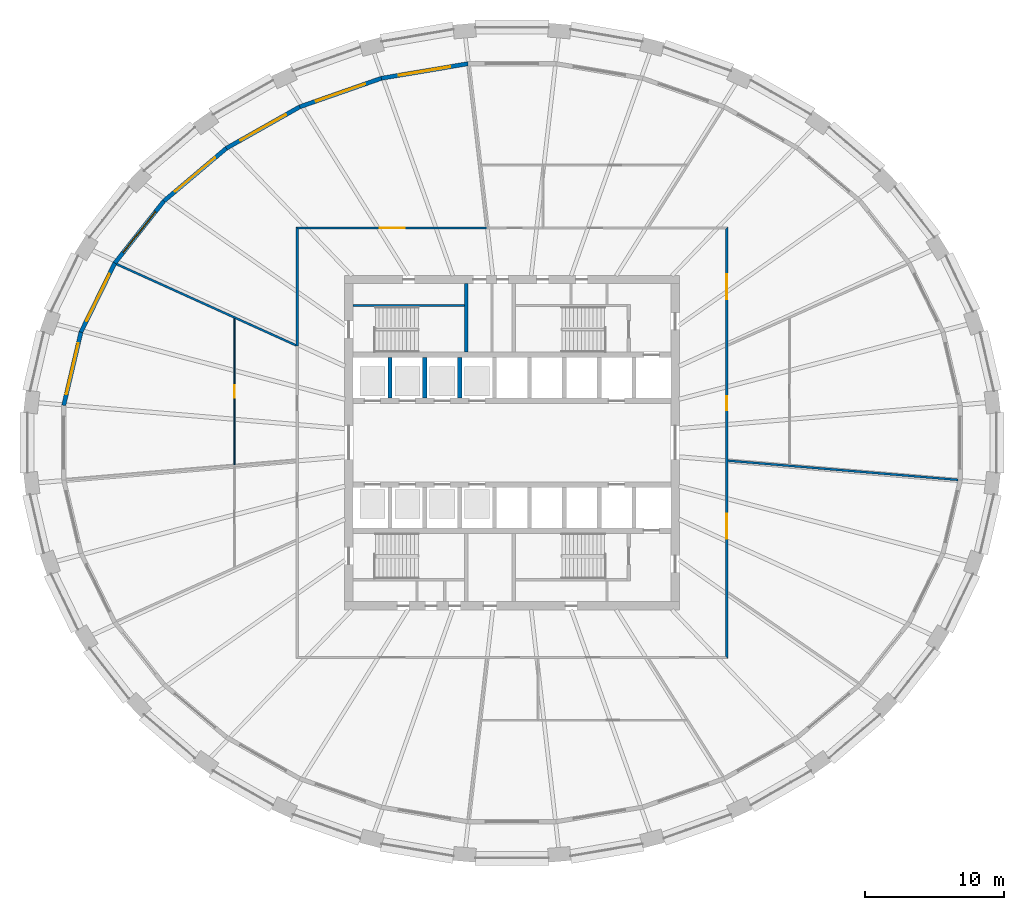
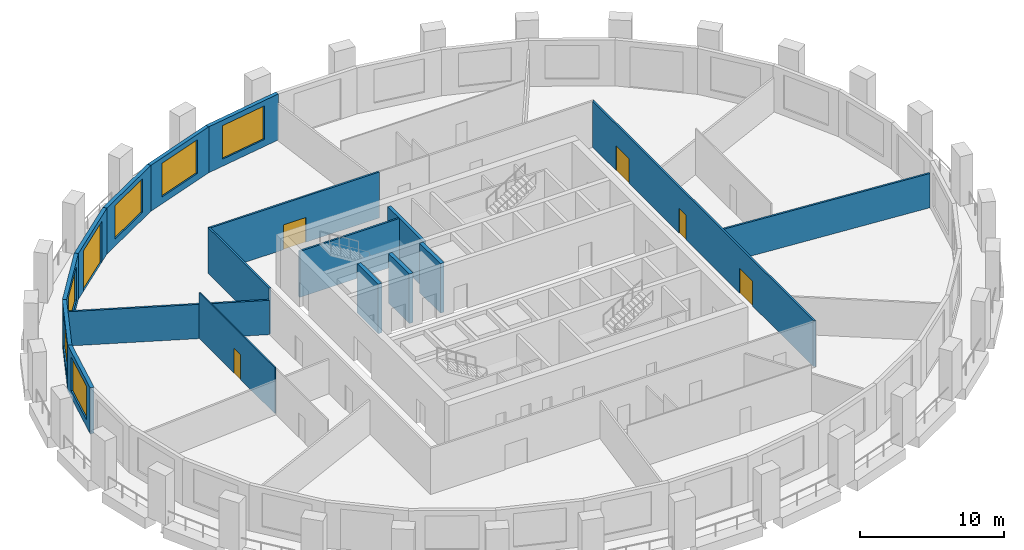
# One storey, part 5 of 10: 18 walls, 6 doors, 6 windows, 12 openings.
"""IFC4 building model written with IfcOpenShell, lengths in metres."""

from ifc_helpers import new_model, si_unit, direction, frame, frame_2d, origin, place, context, subcontext, project, spatial, polyline, rectangle, outline, extrude, material, layer, layer_set, type_object, element, fill, save


model = new_model("IFC4")

# Units and contexts
model_context = context("Model", 3, precision=1e-05, world=origin(), true_north=direction((0.0, 1.0)))
body_context = subcontext(model_context, "Body", "Model", "MODEL_VIEW")
ifc_project = project(units=[si_unit("LENGTHUNIT", "METRE"), si_unit("AREAUNIT", "SQUARE_METRE"), si_unit("VOLUMEUNIT", "CUBIC_METRE"), si_unit("PLANEANGLEUNIT", "RADIAN"), si_unit("MASSUNIT", "GRAM", prefix="KILO")], contexts=[model_context])

# Site, building, storey
site_placement = place(None, origin())
site = spatial("IfcSite", under=ifc_project, at=site_placement, CompositionType="ELEMENT")
building_placement = place(site_placement, origin())
building = spatial("IfcBuilding", under=site, at=building_placement, Name="Halqa Exchange Tower", CompositionType="ELEMENT")
storey_placement = place(building_placement, frame((0.0, 0.0, 125.5)))
storey = spatial("IfcBuildingStorey", under=building, at=storey_placement, Name="L28", CompositionType="ELEMENT", Elevation=125.5)

# Walls
ifc_material_1 = material(Name="Fire-rated gypsum board")
ifc_layer_1 = layer(ifc_material_1, 0.14990234375)
ifc_layer_set_1 = layer_set([ifc_layer_1], Name="Fire-rated gypsum board")
wall_type_1 = type_object("IfcWallType", Name="Fire partition EI 60 150", PredefinedType="PARTITIONING", material=ifc_layer_set_1)
wall_1_placement = place(storey_placement, frame((-28.351806640625, 12.80419921875, 0.0), z_axis=(0.0, 0.0, 1.0), x_axis=(0.91107802929, -0.412233943951, 0.0)))
element("IfcWall", 1, at=wall_1_placement, inside=storey, type_object=wall_type_1, Name="L28-PWL-002", PredefinedType="PARTITIONING", context=body_context, shape_type="SweptSolid", body=[
    extrude(outline(polyline([(0.0, -0.074951171875), (1.8720703125, -0.074951171875), (3.743896484375, -0.074951171875), (5.615966796875, -0.074951171875), (7.48779296875, -0.074951171875), (9.35986328125, -0.074951171875), (9.364501953125, -0.07275390625), (9.365478515625, -0.074951171875), (10.966064453125, -0.074951171875), (12.56689453125, -0.074951171875), (14.16748046875, -0.074951171875), (14.16748046875, -0.074951171875), (14.14501953125, -0.025390625), (14.099609375, 0.074951171875), (12.33984375, 0.074951171875), (10.580078125, 0.074951171875), (8.8203125, 0.074951171875), (7.060302734375, 0.074951171875), (5.300537109375, 0.074951171875), (3.540771484375, 0.074951171875), (1.781005859375, 0.074951171875), (0.021240234375, 0.074951171875), (0.001708984375, -0.003173828125), (0.0, -0.05859375), (0.0, -0.074951171875)])), origin(), (0.0, 0.0, 1.0), 2.909912109375),
])
wall_2_placement = place(storey_placement, frame((-15.39990234375, 6.949951171875, 0.0), z_axis=(0.0, 0.0, 1.0), x_axis=(0.0, 1.0, 0.0)))
element("IfcWall", 2, at=wall_2_placement, inside=storey, type_object=wall_type_1, Name="L28-PWL-008", PredefinedType="PARTITIONING", context=body_context, shape_type="SweptSolid", body=[
    extrude(outline(polyline([(0.0, -0.074951171875), (1.675048828125, -0.074951171875), (3.35009765625, -0.074951171875), (5.02490234375, -0.074951171875), (6.699951171875, -0.074951171875), (8.375, -0.074951171875), (8.52490234375, 0.074951171875), (6.81982421875, 0.074951171875), (5.114990234375, 0.074951171875), (3.409912109375, 0.074951171875), (1.705078125, 0.074951171875), (0.0, 0.074951171875), (0.0, -0.074951171875)])), origin(), (0.0, 0.0, 1.0), 3.89990234375),
])

# Wall, opening, door
wall_3_placement = place(storey_placement, frame((-15.47509765625, 15.39990234375, 0.0), z_axis=(0.0, 0.0, 1.0), x_axis=(1.0, 0.0, 0.0)))
wall_3 = element("IfcWall", 3, at=wall_3_placement, inside=storey, type_object=wall_type_1, Name="L28-PWL-009", PredefinedType="PARTITIONING", context=body_context, shape_type="SweptSolid", body=[
    extrude(outline(polyline([(13.675048828125, 0.074951171875), (11.721435546875, 0.074951171875), (9.76806640625, 0.074951171875), (7.814453125, 0.074951171875), (5.86083984375, 0.074951171875), (3.9072265625, 0.074951171875), (1.953857421875, 0.074951171875), (0.000244140625, 0.074951171875), (0.150146484375, -0.074951171875), (2.082275390625, -0.074951171875), (4.014404296875, -0.074951171875), (5.946533203125, -0.074951171875), (7.878662109375, -0.074951171875), (9.810791015625, -0.074951171875), (11.742919921875, -0.074951171875), (13.675048828125, -0.074951171875), (13.675048828125, 0.074951171875)])), origin(), (0.0, 0.0, 1.0), 3.89990234375),
])
opening_1_placement = place(wall_3_placement, frame((5.97509765625, 0.0, 0.0)))
opening_1 = element("IfcOpeningElement", 4, at=opening_1_placement, cuts=wall_3, Name="Opening 08-07", PredefinedType="OPENING", context=body_context, shape_type="SweptSolid", body=[
    extrude(rectangle(XDim=1.800048828125, YDim=2.10009765625, at=frame_2d((0.89990234375, 1.050048828125))), frame((0.0, 0.0869140625, 0.0), z_axis=(0.0, -1.0, 0.0), x_axis=(1.0, 0.0, 0.0)), (0.0, 0.0, 1.0), 0.173828125),
])
ifc_material_2 = material(Name="Steel fire door leaf", Category="steel")
door_type_1 = type_object("IfcDoorType", Name="Fire door FD30S double 1800 x 2100", OperationType="DOUBLE_DOOR_SINGLE_SWING", PredefinedType="DOOR", material=ifc_material_2)
door_1_placement = place(opening_1_placement, origin())
door_1 = element("IfcDoor", 5, at=door_1_placement, inside=storey, type_object=door_type_1, Name="L28-IDR-007", OperationType="DOUBLE_DOOR_SINGLE_SWING", OverallHeight=2.10009765625, OverallWidth=1.800048828125, PredefinedType="DOOR", context=body_context, shape_type="SweptSolid", body=[
    extrude(rectangle(XDim=1.800048828125, YDim=2.10009765625, at=frame_2d((0.89990234375, 1.050048828125))), frame((0.0, 0.02490234375, 0.0), z_axis=(0.0, -1.0, 0.0), x_axis=(1.0, 0.0, 0.0)), (0.0, 0.0, 1.0), 0.050048828125),
])
fill(opening_1, door_1)

# Wall, openings, doors
wall_4_placement = place(storey_placement, frame((15.39990234375, -15.47509765625, 0.0), z_axis=(0.0, 0.0, 1.0), x_axis=(0.0, 1.0, 0.0)))
wall_4 = element("IfcWall", 6, at=wall_4_placement, inside=storey, type_object=wall_type_1, Name="L28-PWL-020", PredefinedType="PARTITIONING", context=body_context, shape_type="SweptSolid", body=[
    extrude(outline(polyline([(0.000244140625, -0.074951171875), (1.9345703125, -0.074951171875), (3.868896484375, -0.074951171875), (5.80322265625, -0.074951171875), (7.73779296875, -0.074951171875), (9.672119140625, -0.074951171875), (11.6064453125, -0.074951171875), (13.540771484375, -0.074951171875), (15.47509765625, -0.074951171875), (17.409423828125, -0.074951171875), (19.34375, -0.074951171875), (21.278076171875, -0.074951171875), (23.21240234375, -0.074951171875), (25.14697265625, -0.074951171875), (27.081298828125, -0.074951171875), (29.015625, -0.074951171875), (30.949951171875, -0.074951171875), (30.800048828125, 0.074951171875), (28.884521484375, 0.074951171875), (26.96875, 0.074951171875), (25.05322265625, 0.074951171875), (23.1376953125, 0.074951171875), (21.221923828125, 0.074951171875), (19.306396484375, 0.074951171875), (17.390625, 0.074951171875), (15.47509765625, 0.074951171875), (13.5595703125, 0.074951171875), (11.643798828125, 0.074951171875), (9.728271484375, 0.074951171875), (7.8125, 0.074951171875), (5.89697265625, 0.074951171875), (3.9814453125, 0.074951171875), (2.065673828125, 0.074951171875), (0.150146484375, 0.074951171875), (0.000244140625, -0.074951171875)])), origin(), (0.0, 0.0, 1.0), 3.89990234375),
])
opening_2_placement = place(wall_4_placement, frame((8.594970703125, 0.0, 0.0)))
opening_2 = element("IfcOpeningElement", 7, at=opening_2_placement, cuts=wall_4, Name="Opening 08-02", PredefinedType="OPENING", context=body_context, shape_type="SweptSolid", body=[
    extrude(rectangle(XDim=1.800048828125, YDim=2.10009765625, at=frame_2d((0.89990234375, 1.050048828125))), frame((0.0, 0.0869140625, 0.0), z_axis=(0.0, -1.0, 0.0), x_axis=(1.0, 0.0, 0.0)), (0.0, 0.0, 1.0), 0.173828125),
])
opening_3_placement = place(wall_4_placement, frame((17.81005859375, 0.0, 0.0)))
opening_3 = element("IfcOpeningElement", 8, at=opening_3_placement, cuts=wall_4, Name="Opening 08-03", PredefinedType="OPENING", context=body_context, shape_type="SweptSolid", body=[
    extrude(rectangle(XDim=1.0, YDim=2.10009765625, at=frame_2d((0.5, 1.050048828125))), frame((0.0, 0.0869140625, 0.0), z_axis=(0.0, -1.0, 0.0), x_axis=(1.0, 0.0, 0.0)), (0.0, 0.0, 1.0), 0.173828125),
])
opening_4_placement = place(wall_4_placement, frame((25.75, 0.0, 0.0)))
opening_4 = element("IfcOpeningElement", 9, at=opening_4_placement, cuts=wall_4, Name="Opening 08-04", PredefinedType="OPENING", context=body_context, shape_type="SweptSolid", body=[
    extrude(rectangle(XDim=1.800048828125, YDim=2.10009765625, at=frame_2d((0.89990234375, 1.050048828125))), frame((0.0, 0.0869140625, 0.0), z_axis=(0.0, -1.0, 0.0), x_axis=(1.0, 0.0, 0.0)), (0.0, 0.0, 1.0), 0.173828125),
])
door_type_2 = type_object("IfcDoorType", Name="Fire door FD30S 1000 x 2100", OperationType="SINGLE_SWING_LEFT", PredefinedType="DOOR", material=ifc_material_2)
door_2_placement = place(opening_3_placement, frame((1.0, 0.0, 0.0), z_axis=(0.0, 0.0, 1.0), x_axis=(-1.0, 0.0, 0.0)))
door_2 = element("IfcDoor", 10, at=door_2_placement, inside=storey, type_object=door_type_2, Name="L28-IDR-003", OperationType="SINGLE_SWING_RIGHT", OverallHeight=2.10009765625, OverallWidth=1.0, PredefinedType="DOOR", context=body_context, shape_type="SweptSolid", body=[
    extrude(rectangle(XDim=1.0, YDim=2.10009765625, at=frame_2d((0.5, 1.050048828125))), frame((0.0, 0.02490234375, 0.0), z_axis=(0.0, -1.0, 0.0), x_axis=(1.0, 0.0, 0.0)), (0.0, 0.0, 1.0), 0.050048828125),
])
fill(opening_3, door_2)
door_3_placement = place(opening_2_placement, frame((1.800048828125, 0.0, 0.0), z_axis=(0.0, 0.0, 1.0), x_axis=(-1.0, 0.0, 0.0)))
door_3 = element("IfcDoor", 11, at=door_3_placement, inside=storey, type_object=door_type_1, Name="L28-IDR-002", OperationType="DOUBLE_DOOR_SINGLE_SWING", OverallHeight=2.10009765625, OverallWidth=1.800048828125, PredefinedType="DOOR", context=body_context, shape_type="SweptSolid", body=[
    extrude(rectangle(XDim=1.800048828125, YDim=2.10009765625, at=frame_2d((0.89990234375, 1.050048828125))), frame((0.0, 0.02490234375, 0.0), z_axis=(0.0, -1.0, 0.0), x_axis=(1.0, 0.0, 0.0)), (0.0, 0.0, 1.0), 0.050048828125),
])
fill(opening_2, door_3)
door_4_placement = place(opening_4_placement, frame((1.800048828125, 0.0, 0.0), z_axis=(0.0, 0.0, 1.0), x_axis=(-1.0, 0.0, 0.0)))
door_4 = element("IfcDoor", 12, at=door_4_placement, inside=storey, type_object=door_type_1, Name="L28-IDR-004", OperationType="DOUBLE_DOOR_SINGLE_SWING", OverallHeight=2.10009765625, OverallWidth=1.800048828125, PredefinedType="DOOR", context=body_context, shape_type="SweptSolid", body=[
    extrude(rectangle(XDim=1.800048828125, YDim=2.10009765625, at=frame_2d((0.89990234375, 1.050048828125))), frame((0.0, 0.02490234375, 0.0), z_axis=(0.0, -1.0, 0.0), x_axis=(1.0, 0.0, 0.0)), (0.0, 0.0, 1.0), 0.050048828125),
])
fill(opening_4, door_4)

# Wall
wall_5_placement = place(storey_placement, frame((15.46923828125, -1.285888671875, 0.0), z_axis=(0.0, 0.0, 1.0), x_axis=(0.996533353756, -0.083194199634, 0.0)))
element("IfcWall", 13, at=wall_5_placement, inside=storey, type_object=wall_type_1, Name="L28-PWL-022", PredefinedType="PARTITIONING", context=body_context, shape_type="SweptSolid", body=[
    extrude(outline(polyline([(0.011962890625, -0.074951171875), (1.8515625, -0.074951171875), (3.69140625, -0.074951171875), (5.531005859375, -0.074951171875), (7.37060546875, -0.074951171875), (9.210205078125, -0.074951171875), (11.0498046875, -0.074951171875), (12.8896484375, -0.074951171875), (14.729248046875, -0.074951171875), (16.56884765625, -0.074951171875), (16.574462890625, -0.037109375), (16.574462890625, 0.074951171875), (14.835693359375, 0.074951171875), (13.096923828125, 0.074951171875), (11.358154296875, 0.074951171875), (9.619384765625, 0.074951171875), (7.880615234375, 0.074951171875), (6.141845703125, 0.074951171875), (4.403076171875, 0.074951171875), (4.389892578125, 0.073974609375), (4.3896484375, 0.074951171875), (2.926513671875, 0.074951171875), (1.463134765625, 0.074951171875), (0.0, 0.074951171875), (0.0, 0.0693359375), (0.011962890625, -0.074951171875)])), origin(), (0.0, 0.0, 1.0), 2.909912109375),
])

# Wall, opening, door
ifc_material_3 = material(Name="Gypsum board")
ifc_layer_2 = layer(ifc_material_3, 0.10009765625)
ifc_layer_set_2 = layer_set([ifc_layer_2], Name="Gypsum board")
wall_type_2 = type_object("IfcWallType", Name="Partition 100 gypsum", PredefinedType="PARTITIONING", material=ifc_layer_set_2)
wall_6_placement = place(storey_placement, frame((-19.89990234375, -1.58447265625, 0.0), z_axis=(0.0, 0.0, 1.0), x_axis=(0.0, 1.0, 0.0)))
wall_6 = element("IfcWall", 14, at=wall_6_placement, inside=storey, type_object=wall_type_2, Name="L28-PWL-005", PredefinedType="PARTITIONING", context=body_context, shape_type="SweptSolid", body=[
    extrude(outline(polyline([(0.00830078125, -0.050048828125), (1.75, -0.050048828125), (3.491943359375, -0.050048828125), (5.23388671875, -0.050048828125), (6.9755859375, -0.050048828125), (8.717529296875, -0.050048828125), (10.45947265625, -0.050048828125), (10.50439453125, 0.04931640625), (10.50439453125, 0.050048828125), (8.753662109375, 0.050048828125), (7.0029296875, 0.050048828125), (5.252197265625, 0.050048828125), (3.50146484375, 0.050048828125), (1.750732421875, 0.050048828125), (0.0, 0.050048828125), (0.0, 0.048095703125), (0.00830078125, -0.050048828125)])), origin(), (0.0, 0.0, 1.0), 3.89990234375),
])
opening_5_placement = place(wall_6_placement, frame((4.79443359375, 0.0, 0.0)))
opening_5 = element("IfcOpeningElement", 15, at=opening_5_placement, cuts=wall_6, Name="Opening 08-15", PredefinedType="OPENING", context=body_context, shape_type="SweptSolid", body=[
    extrude(rectangle(XDim=0.89990234375, YDim=2.10009765625, at=frame_2d((0.449951171875, 1.050048828125))), frame((0.0, 0.06201171875, 0.0), z_axis=(0.0, -1.0, 0.0), x_axis=(1.0, 0.0, 0.0)), (0.0, 0.0, 1.0), 0.1240234375),
])
ifc_material_4 = material(Name="Timber door leaf", Category="wood")
door_type_3 = type_object("IfcDoorType", Name="Door 900 x 2100", OperationType="SINGLE_SWING_LEFT", PredefinedType="DOOR", material=ifc_material_4)
door_5_placement = place(opening_5_placement, frame((0.89990234375, 0.0, 0.0), z_axis=(0.0, 0.0, 1.0), x_axis=(-1.0, 0.0, 0.0)))
door_5 = element("IfcDoor", 16, at=door_5_placement, inside=storey, type_object=door_type_3, Name="L28-IDR-015", OperationType="SINGLE_SWING_RIGHT", OverallHeight=2.10009765625, OverallWidth=0.89990234375, PredefinedType="DOOR", context=body_context, shape_type="SweptSolid", body=[
    extrude(rectangle(XDim=0.89990234375, YDim=2.10009765625, at=frame_2d((0.449951171875, 1.050048828125))), frame((0.0, 0.02490234375, 0.0), z_axis=(0.0, -1.0, 0.0), x_axis=(1.0, 0.0, 0.0)), (0.0, 0.0, 1.0), 0.050048828125),
])
fill(opening_5, door_5)

# Walls
ifc_material_5 = material(Name="Concrete C60/75", Category="concrete")
ifc_layer_3 = layer(ifc_material_5, 0.300048828125)
ifc_layer_set_3 = layer_set([ifc_layer_3], Name="Concrete C60/75")
wall_type_3 = type_object("IfcWallType", Name="RC core wall 300", PredefinedType="SHEAR", material=ifc_layer_set_3)
for number, where, z_axis, x_axis, name in (
    (17, (-8.75, 3.199951171875, 0.0), (0.0, 0.0, 1.0), (0.0, 1.0, 0.0), "Shaft divider N1"),
    (18, (-6.25, 3.199951171875, 0.0), (0.0, 0.0, 1.0), (0.0, 1.0, 0.0), "Shaft divider N2"),
    (19, (-3.75, 3.199951171875, 0.0), (0.0, 0.0, 1.0), (0.0, 1.0, 0.0), "Shaft divider N3"),
):
    element("IfcWall", number, at=place(storey_placement, frame(where, z_axis=z_axis, x_axis=x_axis)), inside=storey, type_object=wall_type_3, Name=name, PredefinedType="SHEAR", context=body_context, shape_type="SweptSolid", body=[
        extrude(rectangle(XDim=2.900146484375, YDim=0.300048828125, at=frame_2d((1.4501953125, 0.0))), origin(), (0.0, 0.0, 1.0), 4.199951171875),
    ])
ifc_material_6 = material(Name="Concrete C30/37", Category="concrete")
ifc_layer_4 = layer(ifc_material_6, 0.14990234375)
ifc_layer_set_4 = layer_set([ifc_layer_4], Name="Concrete C30/37")
wall_type_4 = type_object("IfcWallType", Name="RC stair wall 150 C30/37", PredefinedType="SHEAR", material=ifc_layer_set_4)
wall_7_placement = place(storey_placement, frame((-11.39990234375, 9.824951171875, 0.0), z_axis=(0.0, 0.0, 1.0), x_axis=(1.0, 0.0, 0.0)))
element("IfcWall", 20, at=wall_7_placement, inside=storey, type_object=wall_type_4, Name="Stair ST1 north wall N", PredefinedType="SHEAR", context=body_context, shape_type="SweptSolid", body=[
    extrude(rectangle(XDim=8.0, YDim=0.14990234375, at=frame_2d((4.0, 0.0))), origin(), (0.0, 0.0, 1.0), 3.89990234375),
])
ifc_layer_5 = layer(ifc_material_6, 0.25)
ifc_layer_set_5 = layer_set([ifc_layer_5], Name="Concrete C30/37")
wall_type_5 = type_object("IfcWallType", Name="RC stair wall 250 C30/37", PredefinedType="SHEAR", material=ifc_layer_set_5)
wall_8_placement = place(storey_placement, frame((-3.27490234375, 6.5, 0.0), z_axis=(0.0, 0.0, 1.0), x_axis=(0.0, 1.0, 0.0)))
element("IfcWall", 21, at=wall_8_placement, inside=storey, type_object=wall_type_5, Name="Stair ST1 east wall N", PredefinedType="SHEAR", context=body_context, shape_type="SweptSolid", body=[
    extrude(rectangle(XDim=4.89990234375, YDim=0.25, at=frame_2d((2.449951171875, 0.0))), origin(), (0.0, 0.0, 1.0), 3.89990234375),
])

# Wall, opening, window
ifc_material_7 = material(Name="Limestone cladding", Category="masonry")
ifc_layer_6 = layer(ifc_material_7, 0.0400390625)
ifc_material_8 = material(Name="Ventilated cavity")
ifc_layer_7 = layer(ifc_material_8, 0.030029296875, ventilated=True)
ifc_material_9 = material(Name="Mineral wool insulation")
ifc_layer_8 = layer(ifc_material_9, 0.10009765625)
ifc_layer_9 = layer(ifc_material_6, 0.10009765625)
ifc_material_10 = material(Name="Internal plaster")
ifc_layer_10 = layer(ifc_material_10, 0.030029296875)
ifc_layer_set_6 = layer_set([ifc_layer_6, ifc_layer_7, ifc_layer_8, ifc_layer_9, ifc_layer_10], Name="Stone-faced insulated wall 300")
wall_type_6 = type_object("IfcWallType", Name="Stone-faced insulated wall 300", PredefinedType="STANDARD", material=ifc_layer_set_6)
wall_9_placement = place(storey_placement, frame((-3.16357421875, 27.174072265625, 0.0), z_axis=(0.0, 0.0, 1.0), x_axis=(-0.986176011722, -0.165701158427, 0.0)))
wall_9 = element("IfcWall", 22, at=wall_9_placement, inside=storey, type_object=wall_type_6, Name="Glass-line wall 9", PredefinedType="STANDARD", context=body_context, shape_type="SweptSolid", body=[
    extrude(outline(polyline([(-0.012451171875, -0.14990234375), (6.305419921875, -0.14990234375), (6.280029296875, 0.14990234375), (0.012451171875, 0.14990234375), (-0.012451171875, -0.14990234375)])), origin(), (0.0, 0.0, 1.0), 3.89990234375),
])
opening_6_placement = place(wall_9_placement, frame((1.271484375, 0.0, 0.60009765625)))
opening_6 = element("IfcOpeningElement", 23, at=opening_6_placement, cuts=wall_9, Name="Opening W-F2-09", PredefinedType="OPENING", context=body_context, shape_type="SweptSolid", body=[
    extrude(rectangle(XDim=3.75, YDim=2.85009765625, at=frame_2d((1.875, 1.425048828125))), frame((0.0, 0.162109375, 0.0), z_axis=(0.0, -1.0, 0.0), x_axis=(1.0, 0.0, 0.0)), (0.0, 0.0, 1.0), 0.323974609375),
])
ifc_material_11 = material(Name="Clear low-emissivity glass in aluminium frame", Category="aluminium")
window_type = type_object("IfcWindowType", Name="Fixed clear glazed window 3750 x 2850", PartitioningType="TRIPLE_PANEL_VERTICAL", PredefinedType="WINDOW", material=ifc_material_11)
window_1_placement = place(opening_6_placement, origin())
window_1 = element("IfcWindow", 24, at=window_1_placement, inside=storey, type_object=window_type, Name="Window 2", OverallHeight=2.85009765625, OverallWidth=3.75, PartitioningType="TRIPLE_PANEL_VERTICAL", PredefinedType="WINDOW", context=body_context, shape_type="SweptSolid", body=[
    extrude(rectangle(XDim=3.75, YDim=2.85009765625, at=frame_2d((1.875, 1.425048828125))), frame((0.0, 0.030029296875, 0.0), z_axis=(0.0, -1.0, 0.0), x_axis=(1.0, 0.0, 0.0)), (0.0, 0.0, 1.0), 0.06005859375),
])
fill(opening_6, window_1)

wall_10_placement = place(storey_placement, frame((-9.369384765625, 26.13134765625, 0.0), z_axis=(0.0, 0.0, 1.0), x_axis=(-0.94389706045, -0.330239820849, 0.0)))
wall_10 = element("IfcWall", 25, at=wall_10_placement, inside=storey, type_object=wall_type_6, Name="Glass-line wall 10", PredefinedType="STANDARD", context=body_context, shape_type="SweptSolid", body=[
    extrude(outline(polyline([(-0.0126953125, -0.14990234375), (6.207763671875, -0.14990234375), (6.180908203125, 0.14990234375), (0.0126953125, 0.14990234375), (-0.0126953125, -0.14990234375)])), origin(), (0.0, 0.0, 1.0), 3.89990234375),
])
opening_7_placement = place(wall_10_placement, frame((1.22216796875, 0.0, 0.60009765625)))
opening_7 = element("IfcOpeningElement", 26, at=opening_7_placement, cuts=wall_10, Name="Opening W-F2-10", PredefinedType="OPENING", context=body_context, shape_type="SweptSolid", body=[
    extrude(rectangle(XDim=3.75, YDim=2.85009765625, at=frame_2d((1.875, 1.425048828125))), frame((0.0, 0.162109375, 0.0), z_axis=(0.0, -1.0, 0.0), x_axis=(1.0, 0.0, 0.0)), (0.0, 0.0, 1.0), 0.323974609375),
])
window_2_placement = place(opening_7_placement, origin())
window_2 = element("IfcWindow", 27, at=window_2_placement, inside=storey, type_object=window_type, Name="Window 2", OverallHeight=2.85009765625, OverallWidth=3.75, PartitioningType="TRIPLE_PANEL_VERTICAL", PredefinedType="WINDOW", context=body_context, shape_type="SweptSolid", body=[
    extrude(rectangle(XDim=3.75, YDim=2.85009765625, at=frame_2d((1.875, 1.425048828125))), frame((0.0, 0.030029296875, 0.0), z_axis=(0.0, -1.0, 0.0), x_axis=(1.0, 0.0, 0.0)), (0.0, 0.0, 1.0), 0.06005859375),
])
fill(opening_7, window_2)

wall_11_placement = place(storey_placement, frame((-15.21630859375, 24.085693359375, 0.0), z_axis=(0.0, 0.0, 1.0), x_axis=(-0.870858332497, -0.491534093142, 0.0)))
wall_11 = element("IfcWall", 28, at=wall_11_placement, inside=storey, type_object=wall_type_6, Name="Glass-line wall 11", PredefinedType="STANDARD", context=body_context, shape_type="SweptSolid", body=[
    extrude(outline(polyline([(-0.013427734375, -0.14990234375), (6.058349609375, -0.14990234375), (6.030029296875, 0.14990234375), (0.013427734375, 0.14990234375), (-0.013427734375, -0.14990234375)])), origin(), (0.0, 0.0, 1.0), 3.89990234375),
])
opening_8_placement = place(wall_11_placement, frame((1.147216796875, 0.0, 0.60009765625)))
opening_8 = element("IfcOpeningElement", 29, at=opening_8_placement, cuts=wall_11, Name="Opening W-F2-11", PredefinedType="OPENING", context=body_context, shape_type="SweptSolid", body=[
    extrude(rectangle(XDim=3.75, YDim=2.85009765625, at=frame_2d((1.875, 1.425048828125))), frame((0.0, 0.162109375, 0.0), z_axis=(0.0, -1.0, 0.0), x_axis=(1.0, 0.0, 0.0)), (0.0, 0.0, 1.0), 0.323974609375),
])
window_3_placement = place(opening_8_placement, origin())
window_3 = element("IfcWindow", 30, at=window_3_placement, inside=storey, type_object=window_type, Name="Window 2", OverallHeight=2.85009765625, OverallWidth=3.75, PartitioningType="TRIPLE_PANEL_VERTICAL", PredefinedType="WINDOW", context=body_context, shape_type="SweptSolid", body=[
    extrude(rectangle(XDim=3.75, YDim=2.85009765625, at=frame_2d((1.875, 1.425048828125))), frame((0.0, 0.030029296875, 0.0), z_axis=(0.0, -1.0, 0.0), x_axis=(1.0, 0.0, 0.0)), (0.0, 0.0, 1.0), 0.06005859375),
])
fill(opening_8, window_3)

# Wall, opening, door
wall_12_placement = place(storey_placement, frame((-20.47998046875, 21.11474609375, 0.0), z_axis=(0.0, 0.0, 1.0), x_axis=(-0.763937302001, -0.645290476151, 0.0)))
wall_12 = element("IfcWall", 31, at=wall_12_placement, inside=storey, type_object=wall_type_6, Name="Glass-line wall 12", PredefinedType="STANDARD", context=body_context, shape_type="SweptSolid", body=[
    extrude(outline(polyline([(-0.01416015625, -0.14990234375), (5.87744140625, -0.14990234375), (5.84716796875, 0.14990234375), (0.01416015625, 0.14990234375), (-0.01416015625, -0.14990234375)])), origin(), (0.0, 0.0, 1.0), 3.89990234375),
])
opening_9_placement = place(wall_12_placement, frame((1.05615234375, 0.0, 0.0)))
opening_9 = element("IfcOpeningElement", 32, at=opening_9_placement, cuts=wall_12, Name="Opening LG-F2-03", PredefinedType="OPENING", context=body_context, shape_type="SweptSolid", body=[
    extrude(rectangle(XDim=3.75, YDim=3.449951171875, at=frame_2d((1.875, 1.72509765625))), frame((0.0, 0.162109375, 0.0), z_axis=(0.0, -1.0, 0.0), x_axis=(1.0, 0.0, 0.0)), (0.0, 0.0, 1.0), 0.323974609375),
])
door_type_4 = type_object("IfcDoorType", Name="Glazed sliding loggia door 3750 x 3450", OperationType="DOUBLE_DOOR_SLIDING", PredefinedType="DOOR", material=ifc_material_11)
door_6_placement = place(opening_9_placement, origin())
door_6 = element("IfcDoor", 33, at=door_6_placement, inside=storey, type_object=door_type_4, Name="Loggia door 3", OperationType="DOUBLE_DOOR_SLIDING", OverallHeight=3.449951171875, OverallWidth=3.75, PredefinedType="DOOR", context=body_context, shape_type="SweptSolid", body=[
    extrude(rectangle(XDim=3.75, YDim=3.449951171875, at=frame_2d((1.875, 1.72509765625))), frame((0.0, 0.02490234375, 0.0), z_axis=(0.0, -1.0, 0.0), x_axis=(1.0, 0.0, 0.0)), (0.0, 0.0, 1.0), 0.050048828125),
])
fill(opening_9, door_6)

# Wall, opening, window
wall_13_placement = place(storey_placement, frame((-24.95849609375, 17.331787109375, 0.0), z_axis=(0.0, 0.0, 1.0), x_axis=(-0.62038332391, -0.784298751379, 0.0)))
wall_13 = element("IfcWall", 34, at=wall_13_placement, inside=storey, type_object=wall_type_6, Name="Glass-line wall 13", PredefinedType="STANDARD", context=body_context, shape_type="SweptSolid", body=[
    extrude(outline(polyline([(-0.01513671875, -0.14990234375), (5.69091796875, -0.14990234375), (5.65869140625, 0.14990234375), (0.01513671875, 0.14990234375), (-0.01513671875, -0.14990234375)])), origin(), (0.0, 0.0, 1.0), 3.89990234375),
])
opening_10_placement = place(wall_13_placement, frame((0.96240234375, 0.0, 0.60009765625)))
opening_10 = element("IfcOpeningElement", 35, at=opening_10_placement, cuts=wall_13, Name="Opening W-F2-13", PredefinedType="OPENING", context=body_context, shape_type="SweptSolid", body=[
    extrude(rectangle(XDim=3.75, YDim=2.85009765625, at=frame_2d((1.875, 1.425048828125))), frame((0.0, 0.162109375, 0.0), z_axis=(0.0, -1.0, 0.0), x_axis=(1.0, 0.0, 0.0)), (0.0, 0.0, 1.0), 0.323974609375),
])
window_4_placement = place(opening_10_placement, origin())
window_4 = element("IfcWindow", 36, at=window_4_placement, inside=storey, type_object=window_type, Name="Window 2", OverallHeight=2.85009765625, OverallWidth=3.75, PartitioningType="TRIPLE_PANEL_VERTICAL", PredefinedType="WINDOW", context=body_context, shape_type="SweptSolid", body=[
    extrude(rectangle(XDim=3.75, YDim=2.85009765625, at=frame_2d((1.875, 1.425048828125))), frame((0.0, 0.030029296875, 0.0), z_axis=(0.0, -1.0, 0.0), x_axis=(1.0, 0.0, 0.0)), (0.0, 0.0, 1.0), 0.06005859375),
])
fill(opening_10, window_4)

wall_14_placement = place(storey_placement, frame((-28.47900390625, 12.881103515625, 0.0), z_axis=(0.0, 0.0, 1.0), x_axis=(-0.440306401535, -0.897847577692, 0.0)))
wall_14 = element("IfcWall", 37, at=wall_14_placement, inside=storey, type_object=wall_type_6, Name="Glass-line wall 14", PredefinedType="STANDARD", context=body_context, shape_type="SweptSolid", body=[
    extrude(outline(polyline([(-0.01611328125, -0.14990234375), (5.52734375, -0.14990234375), (5.49365234375, 0.14990234375), (0.01611328125, 0.14990234375), (-0.01611328125, -0.14990234375)])), origin(), (0.0, 0.0, 1.0), 3.89990234375),
])
opening_11_placement = place(wall_14_placement, frame((0.880126953125, 0.0, 0.60009765625)))
opening_11 = element("IfcOpeningElement", 38, at=opening_11_placement, cuts=wall_14, Name="Opening W-F2-14", PredefinedType="OPENING", context=body_context, shape_type="SweptSolid", body=[
    extrude(rectangle(XDim=3.75, YDim=2.85009765625, at=frame_2d((1.875, 1.425048828125))), frame((0.0, 0.162109375, 0.0), z_axis=(0.0, -1.0, 0.0), x_axis=(1.0, 0.0, 0.0)), (0.0, 0.0, 1.0), 0.323974609375),
])
window_5_placement = place(opening_11_placement, origin())
window_5 = element("IfcWindow", 39, at=window_5_placement, inside=storey, type_object=window_type, Name="Window 2", OverallHeight=2.85009765625, OverallWidth=3.75, PartitioningType="TRIPLE_PANEL_VERTICAL", PredefinedType="WINDOW", context=body_context, shape_type="SweptSolid", body=[
    extrude(rectangle(XDim=3.75, YDim=2.85009765625, at=frame_2d((1.875, 1.425048828125))), frame((0.0, 0.030029296875, 0.0), z_axis=(0.0, -1.0, 0.0), x_axis=(1.0, 0.0, 0.0)), (0.0, 0.0, 1.0), 0.06005859375),
])
fill(opening_11, window_5)

wall_15_placement = place(storey_placement, frame((-30.9052734375, 7.93359375, 0.0), z_axis=(0.0, 0.0, 1.0), x_axis=(-0.229200658045, -0.973379195561, 0.0)))
wall_15 = element("IfcWall", 40, at=wall_15_placement, inside=storey, type_object=wall_type_6, Name="Glass-line wall 15", PredefinedType="STANDARD", context=body_context, shape_type="SweptSolid", body=[
    extrude(outline(polyline([(-0.016845703125, -0.14990234375), (5.415771484375, -0.14990234375), (5.381103515625, 0.14990234375), (0.016845703125, 0.14990234375), (-0.016845703125, -0.14990234375)])), origin(), (0.0, 0.0, 1.0), 3.89990234375),
])
opening_12_placement = place(wall_15_placement, frame((0.82421875, 0.0, 0.60009765625)))
opening_12 = element("IfcOpeningElement", 41, at=opening_12_placement, cuts=wall_15, Name="Opening W-F2-15", PredefinedType="OPENING", context=body_context, shape_type="SweptSolid", body=[
    extrude(rectangle(XDim=3.75, YDim=2.85009765625, at=frame_2d((1.875, 1.425048828125))), frame((0.0, 0.162109375, 0.0), z_axis=(0.0, -1.0, 0.0), x_axis=(1.0, 0.0, 0.0)), (0.0, 0.0, 1.0), 0.323974609375),
])
window_6_placement = place(opening_12_placement, origin())
window_6 = element("IfcWindow", 42, at=window_6_placement, inside=storey, type_object=window_type, Name="Window 2", OverallHeight=2.85009765625, OverallWidth=3.75, PartitioningType="TRIPLE_PANEL_VERTICAL", PredefinedType="WINDOW", context=body_context, shape_type="SweptSolid", body=[
    extrude(rectangle(XDim=3.75, YDim=2.85009765625, at=frame_2d((1.875, 1.425048828125))), frame((0.0, 0.030029296875, 0.0), z_axis=(0.0, -1.0, 0.0), x_axis=(1.0, 0.0, 0.0)), (0.0, 0.0, 1.0), 0.06005859375),
])
fill(opening_12, window_6)

save(model, "model.ifc")
